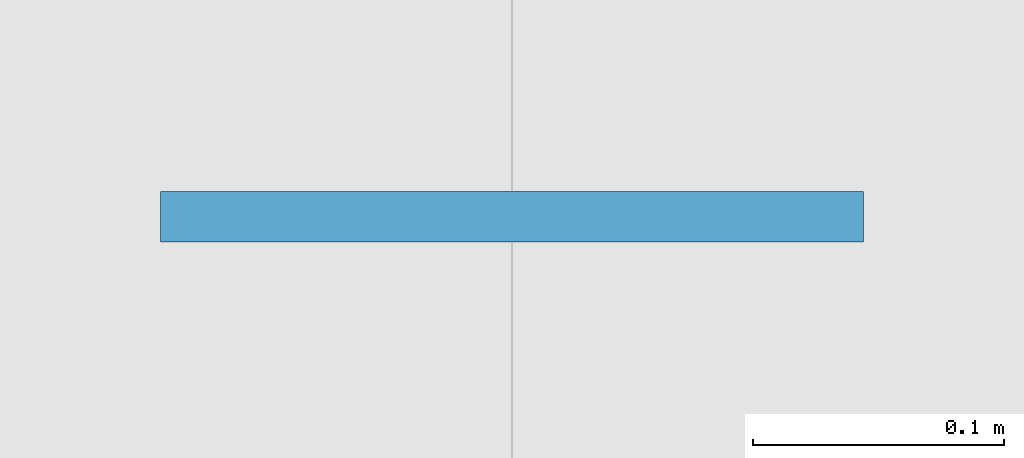
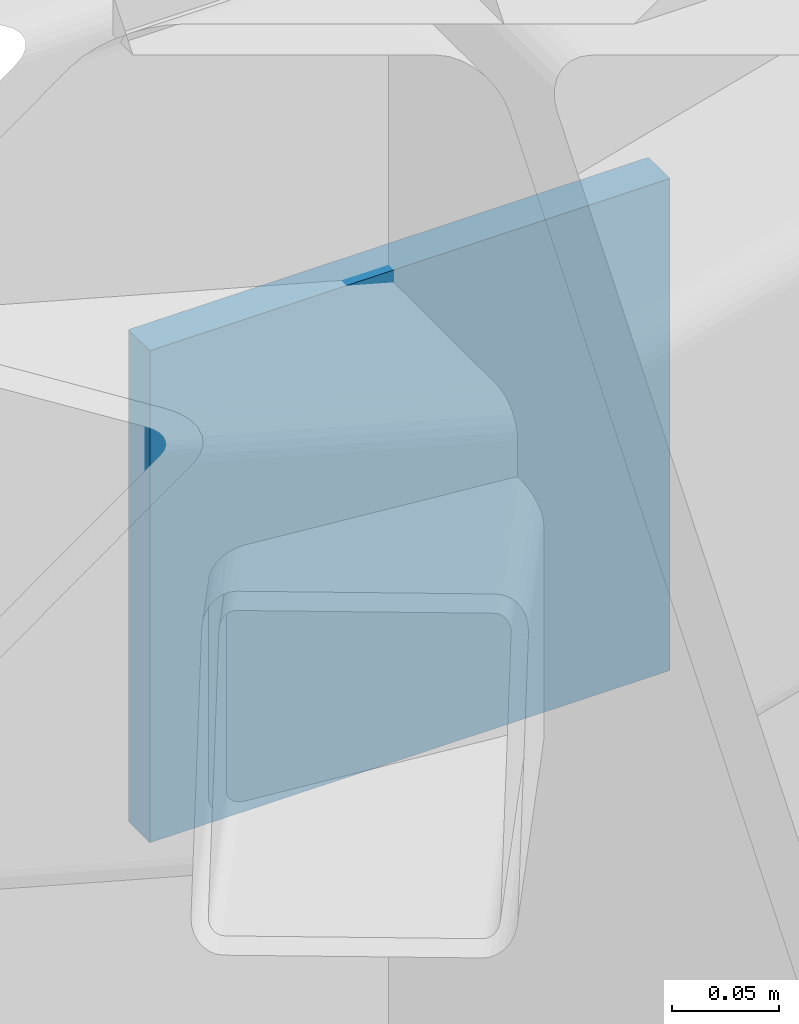
# One storey, part 18 of 27: 1 plate.
"""IFC4 building model written with IfcOpenShell, lengths in metres."""

from ifc_helpers import new_model, si_unit, direction, frame, origin, origin_2d, place, context, subcontext, project, spatial, rectangle, extrude, material, layer, layer_set, type_object, element, save


model = new_model("IFC4")

# Units and contexts
model_context = context("Model", 3, precision=1e-05, world=origin(), true_north=direction((0.0, 1.0)))
body_context = subcontext(model_context, "Body", "Model", "MODEL_VIEW")
ifc_project = project(units=[si_unit("LENGTHUNIT", "METRE"), si_unit("AREAUNIT", "SQUARE_METRE"), si_unit("VOLUMEUNIT", "CUBIC_METRE"), si_unit("PLANEANGLEUNIT", "RADIAN"), si_unit("MASSUNIT", "GRAM", prefix="KILO")], contexts=[model_context])

# Site, building, storey
site_placement = place(None, origin())
site = spatial("IfcSite", under=ifc_project, at=site_placement, CompositionType="ELEMENT")
building_placement = place(site_placement, origin())
building = spatial("IfcBuilding", under=site, at=building_placement, Name="Verrall Gate Interchange", CompositionType="ELEMENT")
storey_placement = place(building_placement, frame((0.0, 0.0, 32.800048828125)))
storey = spatial("IfcBuildingStorey", under=building, at=storey_placement, Name="RF", CompositionType="ELEMENT", Elevation=32.800048828125)

# Plate
ifc_material = material(Name="Structural Steel CSA G40.21 350WT Cat 4", Category="steel")
ifc_layer = layer(ifc_material, 0.02001953125)
ifc_layer_set = layer_set([ifc_layer], Name="Structural Steel CSA G40.21 350WT Cat 4")
plate_type = type_object("IfcPlateType", Name="GP-01 Gusset Plate 20", PredefinedType="SHEET", material=ifc_layer_set)
plate_placement = place(storey_placement, frame((68.0, 48.0, -16.9482421875), z_axis=(0.0, 0.0, 1.0), x_axis=(1.0, 0.0, 0.0)))
element("IfcPlate", 1, at=plate_placement, inside=storey, type_object=plate_type, Name="Folded-Plate Valley Gusset Node KN-V5-0-6", PredefinedType="SHEET", context=body_context, shape_type="SweptSolid", body=[
    extrude(rectangle(XDim=0.280029296875, YDim=0.02001953125, at=origin_2d()), origin(), (0.0, 0.0, 1.0), 0.280029296875),
])

save(model, "model.ifc")
